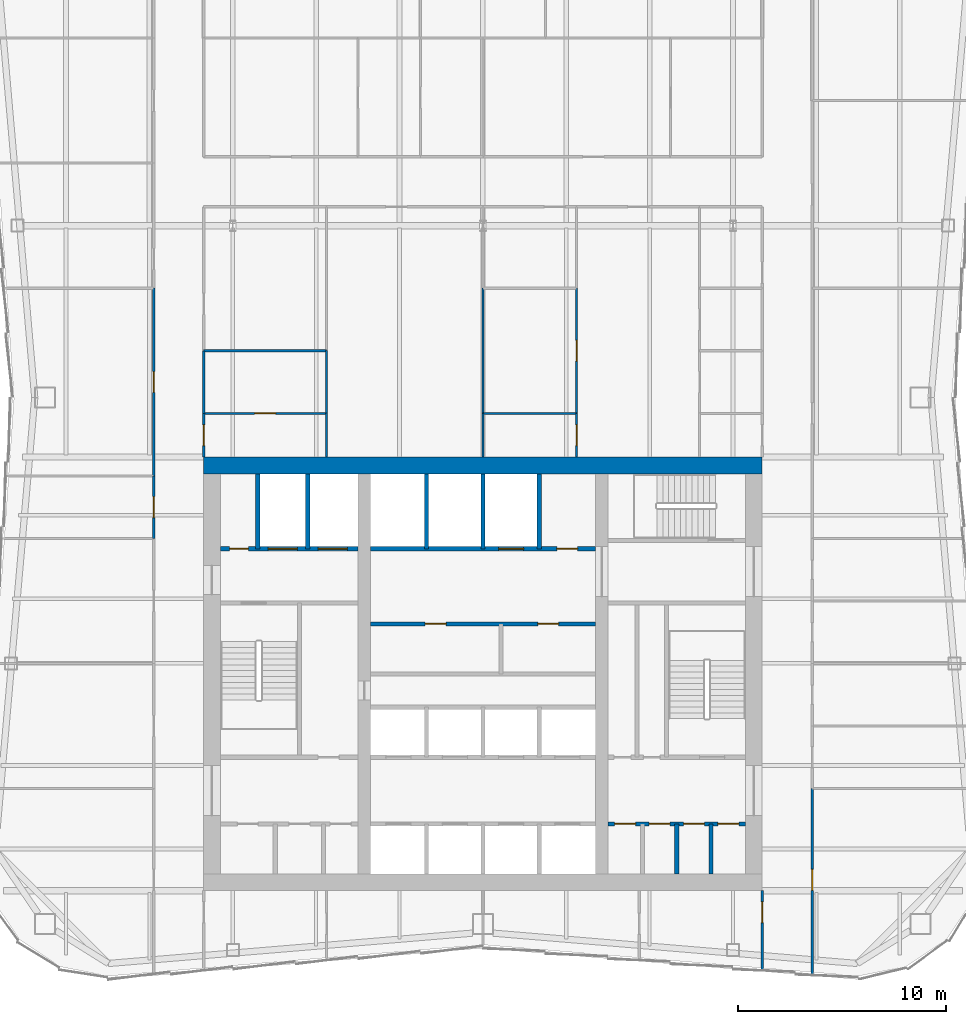
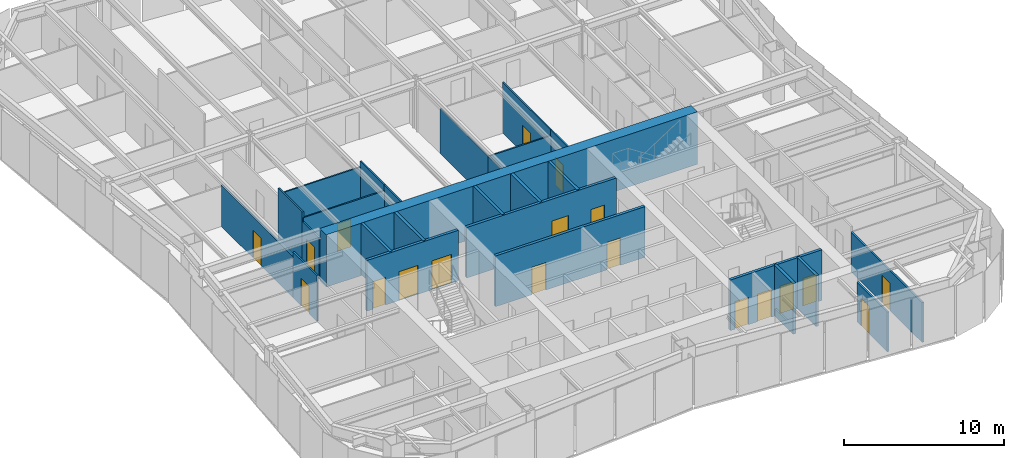
# One storey, part 7 of 12: 27 walls, 19 doors, 19 openings.
"""IFC4 building model written with IfcOpenShell, lengths in metres."""

from ifc_helpers import new_model, si_unit, direction, frame, frame_2d, origin, place, context, subcontext, project, spatial, rectangle, extrude, material, layer, layer_set, type_object, element, fill, save


model = new_model("IFC4")

# Units and contexts
model_context = context("Model", 3, precision=1e-05, world=origin(), true_north=direction((0.0, 1.0)))
body_context = subcontext(model_context, "Body", "Model", "MODEL_VIEW")
ifc_project = project(units=[si_unit("LENGTHUNIT", "METRE"), si_unit("AREAUNIT", "SQUARE_METRE"), si_unit("VOLUMEUNIT", "CUBIC_METRE"), si_unit("PLANEANGLEUNIT", "RADIAN"), si_unit("MASSUNIT", "GRAM", prefix="KILO")], contexts=[model_context])

# Site, building, storey
site_placement = place(None, origin())
site = spatial("IfcSite", under=ifc_project, at=site_placement, CompositionType="ELEMENT")
building_placement = place(site_placement, origin())
building = spatial("IfcBuilding", under=site, at=building_placement, Name="Verdant Reach Tower", CompositionType="ELEMENT")
storey_placement = place(building_placement, frame((0.0, 0.0, 266.0)))
storey = spatial("IfcBuildingStorey", under=building, at=storey_placement, Name="L61", CompositionType="ELEMENT", Elevation=266.0)

# Wall, openings, doors
ifc_material_1 = material(Name="Gypsum board on steel studs", Category="steel")
ifc_layer_1 = layer(ifc_material_1, 0.199951171875)
ifc_layer_set_1 = layer_set([ifc_layer_1], Name="CO-WALL-ROOM")
wall_type_1 = type_object("IfcWallType", Name="CO-WALL-ROOM", PredefinedType="PARTITIONING", material=ifc_layer_set_1)
wall_1_placement = place(storey_placement, frame((6.0, 20.800048828125, 0.0), z_axis=(0.0, 0.0, 1.0), x_axis=(1.0, 0.0, 0.0)))
wall_1 = element("IfcWall", 1, at=wall_1_placement, inside=storey, type_object=wall_type_1, Name="Core partition, L61", PredefinedType="PARTITIONING", context=body_context, shape_type="SweptSolid", body=[
    extrude(rectangle(XDim=6.60009765625, YDim=0.199951171875, at=frame_2d((3.300048828125, 0.0))), origin(), (0.0, 0.0, 1.0), 3.8701171875),
])
opening_1_placement = place(wall_1_placement, frame((0.324951171875, 0.0, 0.0)))
opening_1 = element("IfcOpeningElement", 2, at=opening_1_placement, cuts=wall_1, Name="Opening CD", PredefinedType="OPENING", context=body_context, shape_type="SweptSolid", body=[
    extrude(rectangle(XDim=1.0, YDim=2.10009765625, at=frame_2d((0.5, 1.050048828125))), frame((0.0, 0.10986328125, 0.0), z_axis=(0.0, -1.0, 0.0), x_axis=(1.0, 0.0, 0.0)), (0.0, 0.0, 1.0), 0.219970703125),
])
opening_2_placement = place(wall_1_placement, frame((1.97509765625, 0.0, 0.0)))
opening_2 = element("IfcOpeningElement", 3, at=opening_2_placement, cuts=wall_1, Name="Opening CD", PredefinedType="OPENING", context=body_context, shape_type="SweptSolid", body=[
    extrude(rectangle(XDim=1.0, YDim=2.10009765625, at=frame_2d((0.5, 1.050048828125))), frame((0.0, 0.10986328125, 0.0), z_axis=(0.0, -1.0, 0.0), x_axis=(1.0, 0.0, 0.0)), (0.0, 0.0, 1.0), 0.219970703125),
])
opening_3_placement = place(wall_1_placement, frame((3.625, 0.0, 0.0)))
opening_3 = element("IfcOpeningElement", 4, at=opening_3_placement, cuts=wall_1, Name="Opening CD", PredefinedType="OPENING", context=body_context, shape_type="SweptSolid", body=[
    extrude(rectangle(XDim=1.0, YDim=2.10009765625, at=frame_2d((0.5, 1.050048828125))), frame((0.0, 0.10986328125, 0.0), z_axis=(0.0, -1.0, 0.0), x_axis=(1.0, 0.0, 0.0)), (0.0, 0.0, 1.0), 0.219970703125),
])
opening_4_placement = place(wall_1_placement, frame((5.27490234375, 0.0, 0.0)))
opening_4 = element("IfcOpeningElement", 5, at=opening_4_placement, cuts=wall_1, Name="Opening CD", PredefinedType="OPENING", context=body_context, shape_type="SweptSolid", body=[
    extrude(rectangle(XDim=1.0, YDim=2.10009765625, at=frame_2d((0.5, 1.050048828125))), frame((0.0, 0.10986328125, 0.0), z_axis=(0.0, -1.0, 0.0), x_axis=(1.0, 0.0, 0.0)), (0.0, 0.0, 1.0), 0.219970703125),
])
ifc_material_2 = material(Name="Timber", Category="wood")
door_type_1 = type_object("IfcDoorType", Name="CO-DOOR-ROOM", OperationType="NOTDEFINED", PredefinedType="DOOR", material=ifc_material_2)
door_1_placement = place(opening_1_placement, origin())
door_1 = element("IfcDoor", 6, at=door_1_placement, inside=storey, type_object=door_type_1, Name="Core room door, L61", OperationType="SINGLE_SWING_LEFT", OverallHeight=2.10009765625, OverallWidth=1.0, PredefinedType="DOOR", context=body_context, shape_type="SweptSolid", body=[
    extrude(rectangle(XDim=1.0, YDim=2.10009765625, at=frame_2d((0.5, 1.050048828125))), frame((0.0, 0.02490234375, 0.0), z_axis=(0.0, -1.0, 0.0), x_axis=(1.0, 0.0, 0.0)), (0.0, 0.0, 1.0), 0.050048828125),
])
fill(opening_1, door_1)
door_2_placement = place(opening_2_placement, origin())
door_2 = element("IfcDoor", 7, at=door_2_placement, inside=storey, type_object=door_type_1, Name="Core room door, L61", OperationType="SINGLE_SWING_LEFT", OverallHeight=2.10009765625, OverallWidth=1.0, PredefinedType="DOOR", context=body_context, shape_type="SweptSolid", body=[
    extrude(rectangle(XDim=1.0, YDim=2.10009765625, at=frame_2d((0.5, 1.050048828125))), frame((0.0, 0.02490234375, 0.0), z_axis=(0.0, -1.0, 0.0), x_axis=(1.0, 0.0, 0.0)), (0.0, 0.0, 1.0), 0.050048828125),
])
fill(opening_2, door_2)
door_3_placement = place(opening_3_placement, origin())
door_3 = element("IfcDoor", 8, at=door_3_placement, inside=storey, type_object=door_type_1, Name="Core room door, L61", OperationType="SINGLE_SWING_RIGHT", OverallHeight=2.10009765625, OverallWidth=1.0, PredefinedType="DOOR", context=body_context, shape_type="SweptSolid", body=[
    extrude(rectangle(XDim=1.0, YDim=2.10009765625, at=frame_2d((0.5, 1.050048828125))), frame((0.0, 0.02490234375, 0.0), z_axis=(0.0, -1.0, 0.0), x_axis=(1.0, 0.0, 0.0)), (0.0, 0.0, 1.0), 0.050048828125),
])
fill(opening_3, door_3)
door_4_placement = place(opening_4_placement, origin())
door_4 = element("IfcDoor", 9, at=door_4_placement, inside=storey, type_object=door_type_1, Name="Core room door, L61", OperationType="SINGLE_SWING_RIGHT", OverallHeight=2.10009765625, OverallWidth=1.0, PredefinedType="DOOR", context=body_context, shape_type="SweptSolid", body=[
    extrude(rectangle(XDim=1.0, YDim=2.10009765625, at=frame_2d((0.5, 1.050048828125))), frame((0.0, 0.02490234375, 0.0), z_axis=(0.0, -1.0, 0.0), x_axis=(1.0, 0.0, 0.0)), (0.0, 0.0, 1.0), 0.050048828125),
])
fill(opening_4, door_4)

wall_2_placement = place(storey_placement, frame((-5.39990234375, 30.39990234375, 0.0), z_axis=(0.0, 0.0, 1.0), x_axis=(1.0, 0.0, 0.0)))
wall_2 = element("IfcWall", 10, at=wall_2_placement, inside=storey, type_object=wall_type_1, Name="Core partition, L61", PredefinedType="PARTITIONING", context=body_context, shape_type="SweptSolid", body=[
    extrude(rectangle(XDim=10.7998046875, YDim=0.199951171875, at=frame_2d((5.39990234375, 0.0))), origin(), (0.0, 0.0, 1.0), 3.8701171875),
])
opening_5_placement = place(wall_2_placement, frame((2.632080078125, 0.0, 0.0)))
opening_5 = element("IfcOpeningElement", 11, at=opening_5_placement, cuts=wall_2, Name="Opening CD", PredefinedType="OPENING", context=body_context, shape_type="SweptSolid", body=[
    extrude(rectangle(XDim=1.0, YDim=2.10009765625, at=frame_2d((0.5, 1.050048828125))), frame((0.0, 0.10986328125, 0.0), z_axis=(0.0, -1.0, 0.0), x_axis=(1.0, 0.0, 0.0)), (0.0, 0.0, 1.0), 0.219970703125),
])
opening_6_placement = place(wall_2_placement, frame((8.031982421875, 0.0, 0.0)))
opening_6 = element("IfcOpeningElement", 12, at=opening_6_placement, cuts=wall_2, Name="Opening CD", PredefinedType="OPENING", context=body_context, shape_type="SweptSolid", body=[
    extrude(rectangle(XDim=1.0, YDim=2.10009765625, at=frame_2d((0.5, 1.050048828125))), frame((0.0, 0.10986328125, 0.0), z_axis=(0.0, -1.0, 0.0), x_axis=(1.0, 0.0, 0.0)), (0.0, 0.0, 1.0), 0.219970703125),
])
door_5_placement = place(opening_5_placement, origin())
door_5 = element("IfcDoor", 13, at=door_5_placement, inside=storey, type_object=door_type_1, Name="Core room door, L61", OperationType="SINGLE_SWING_LEFT", OverallHeight=2.10009765625, OverallWidth=1.0, PredefinedType="DOOR", context=body_context, shape_type="SweptSolid", body=[
    extrude(rectangle(XDim=1.0, YDim=2.10009765625, at=frame_2d((0.5, 1.050048828125))), frame((0.0, 0.02490234375, 0.0), z_axis=(0.0, -1.0, 0.0), x_axis=(1.0, 0.0, 0.0)), (0.0, 0.0, 1.0), 0.050048828125),
])
fill(opening_5, door_5)
door_6_placement = place(opening_6_placement, origin())
door_6 = element("IfcDoor", 14, at=door_6_placement, inside=storey, type_object=door_type_1, Name="Core room door, L61", OperationType="SINGLE_SWING_RIGHT", OverallHeight=2.10009765625, OverallWidth=1.0, PredefinedType="DOOR", context=body_context, shape_type="SweptSolid", body=[
    extrude(rectangle(XDim=1.0, YDim=2.10009765625, at=frame_2d((0.5, 1.050048828125))), frame((0.0, 0.02490234375, 0.0), z_axis=(0.0, -1.0, 0.0), x_axis=(1.0, 0.0, 0.0)), (0.0, 0.0, 1.0), 0.050048828125),
])
fill(opening_6, door_6)

# Walls
for number, where, z_axis, x_axis, name in (
    (15, (9.300048828125, 18.39990234375, 0.0), (0.0, 0.0, 1.0), (0.0, 1.0, 0.0), "Core partition, L61"),
    (16, (10.949951171875, 18.39990234375, 0.0), (0.0, 0.0, 1.0), (0.0, 1.0, 0.0), "Core partition, L61"),
):
    element("IfcWall", number, at=place(storey_placement, frame(where, z_axis=z_axis, x_axis=x_axis)), inside=storey, type_object=wall_type_1, Name=name, PredefinedType="PARTITIONING", context=body_context, shape_type="SweptSolid", body=[
        extrude(rectangle(XDim=2.400146484375, YDim=0.199951171875, at=frame_2d((1.2001953125, 0.0))), origin(), (0.0, 0.0, 1.0), 3.8701171875),
    ])

# Wall, openings, doors
ifc_material_3 = material(Name="Concrete C40/50", Category="concrete")
ifc_layer_2 = layer(ifc_material_3, 0.199951171875)
ifc_layer_set_2 = layer_set([ifc_layer_2], Name="CO-WALL-SHAFT")
wall_type_2 = type_object("IfcWallType", Name="CO-WALL-SHAFT", PredefinedType="PARTITIONING", material=ifc_layer_set_2)
wall_3_placement = place(storey_placement, frame((-12.60009765625, 34.0, 0.0), z_axis=(0.0, 0.0, 1.0), x_axis=(1.0, 0.0, 0.0)))
wall_3 = element("IfcWall", 17, at=wall_3_placement, inside=storey, type_object=wall_type_2, Name="Lift shaft wall, L61", PredefinedType="PARTITIONING", context=body_context, shape_type="SweptSolid", body=[
    extrude(rectangle(XDim=6.60009765625, YDim=0.199951171875, at=frame_2d((3.300048828125, 0.0))), origin(), (0.0, 0.0, 1.0), 3.8701171875),
])
opening_7_placement = place(wall_3_placement, frame((4.699951171875, 0.0, 0.0)))
opening_7 = element("IfcOpeningElement", 18, at=opening_7_placement, cuts=wall_3, Name="Opening LD-F1", PredefinedType="OPENING", context=body_context, shape_type="SweptSolid", body=[
    extrude(rectangle(XDim=1.39990234375, YDim=2.199951171875, at=frame_2d((0.699951171875, 1.10009765625))), frame((0.0, 0.10986328125, 0.0), z_axis=(0.0, -1.0, 0.0), x_axis=(1.0, 0.0, 0.0)), (0.0, 0.0, 1.0), 0.219970703125),
])
opening_8_placement = place(wall_3_placement, frame((2.300048828125, 0.0, 0.0)))
opening_8 = element("IfcOpeningElement", 19, at=opening_8_placement, cuts=wall_3, Name="Opening LD-F2", PredefinedType="OPENING", context=body_context, shape_type="SweptSolid", body=[
    extrude(rectangle(XDim=1.39990234375, YDim=2.199951171875, at=frame_2d((0.699951171875, 1.10009765625))), frame((0.0, 0.10986328125, 0.0), z_axis=(0.0, -1.0, 0.0), x_axis=(1.0, 0.0, 0.0)), (0.0, 0.0, 1.0), 0.219970703125),
])
opening_9_placement = place(wall_3_placement, frame((0.449951171875, 0.0, 0.0)))
opening_9 = element("IfcOpeningElement", 20, at=opening_9_placement, cuts=wall_3, Name="Opening RD", PredefinedType="OPENING", context=body_context, shape_type="SweptSolid", body=[
    extrude(rectangle(XDim=0.89990234375, YDim=2.10009765625, at=frame_2d((0.449951171875, 1.050048828125))), frame((0.0, 0.10986328125, 0.0), z_axis=(0.0, -1.0, 0.0), x_axis=(1.0, 0.0, 0.0)), (0.0, 0.0, 1.0), 0.219970703125),
])
ifc_material_4 = material(Name="Stainless steel", Category="steel")
door_type_2 = type_object("IfcDoorType", Name="CO-DOOR-LANDING-FF", OperationType="SLIDING_TO_LEFT", PredefinedType="DOOR", material=ifc_material_4)
door_7_placement = place(opening_7_placement, origin())
door_7 = element("IfcDoor", 21, at=door_7_placement, inside=storey, type_object=door_type_2, Name="Landing door F1, L61", OperationType="SLIDING_TO_LEFT", OverallHeight=2.199951171875, OverallWidth=1.39990234375, PredefinedType="DOOR", context=body_context, shape_type="SweptSolid", body=[
    extrude(rectangle(XDim=1.39990234375, YDim=2.199951171875, at=frame_2d((0.699951171875, 1.10009765625))), frame((0.0, 0.02490234375, 0.0), z_axis=(0.0, -1.0, 0.0), x_axis=(1.0, 0.0, 0.0)), (0.0, 0.0, 1.0), 0.050048828125),
])
fill(opening_7, door_7)
door_8_placement = place(opening_8_placement, origin())
door_8 = element("IfcDoor", 22, at=door_8_placement, inside=storey, type_object=door_type_2, Name="Landing door F2, L61", OperationType="SLIDING_TO_LEFT", OverallHeight=2.199951171875, OverallWidth=1.39990234375, PredefinedType="DOOR", context=body_context, shape_type="SweptSolid", body=[
    extrude(rectangle(XDim=1.39990234375, YDim=2.199951171875, at=frame_2d((0.699951171875, 1.10009765625))), frame((0.0, 0.02490234375, 0.0), z_axis=(0.0, -1.0, 0.0), x_axis=(1.0, 0.0, 0.0)), (0.0, 0.0, 1.0), 0.050048828125),
])
fill(opening_8, door_8)
ifc_material_5 = material(Name="Steel", Category="steel")
door_type_3 = type_object("IfcDoorType", Name="CO-DOOR-RISER", OperationType="NOTDEFINED", PredefinedType="DOOR", material=ifc_material_5)
door_9_placement = place(opening_9_placement, origin())
door_9 = element("IfcDoor", 23, at=door_9_placement, inside=storey, type_object=door_type_3, Name="Core room door, L61", OperationType="SINGLE_SWING_RIGHT", OverallHeight=2.10009765625, OverallWidth=0.89990234375, PredefinedType="DOOR", context=body_context, shape_type="SweptSolid", body=[
    extrude(rectangle(XDim=0.89990234375, YDim=2.10009765625, at=frame_2d((0.449951171875, 1.050048828125))), frame((0.0, 0.02490234375, 0.0), z_axis=(0.0, -1.0, 0.0), x_axis=(1.0, 0.0, 0.0)), (0.0, 0.0, 1.0), 0.050048828125),
])
fill(opening_9, door_9)

wall_4_placement = place(storey_placement, frame((-5.39990234375, 34.0, 0.0), z_axis=(0.0, 0.0, 1.0), x_axis=(1.0, 0.0, 0.0)))
wall_4 = element("IfcWall", 24, at=wall_4_placement, inside=storey, type_object=wall_type_2, Name="Lift shaft wall, L61", PredefinedType="PARTITIONING", context=body_context, shape_type="SweptSolid", body=[
    extrude(rectangle(XDim=10.7998046875, YDim=0.199951171875, at=frame_2d((5.39990234375, 0.0))), origin(), (0.0, 0.0, 1.0), 3.8701171875),
])
opening_10_placement = place(wall_4_placement, frame((6.14990234375, 0.0, 0.0)))
opening_10 = element("IfcOpeningElement", 25, at=opening_10_placement, cuts=wall_4, Name="Opening LD-SL1", PredefinedType="OPENING", context=body_context, shape_type="SweptSolid", body=[
    extrude(rectangle(XDim=1.199951171875, YDim=2.199951171875, at=frame_2d((0.60009765625, 1.10009765625))), frame((0.0, 0.10986328125, 0.0), z_axis=(0.0, -1.0, 0.0), x_axis=(1.0, 0.0, 0.0)), (0.0, 0.0, 1.0), 0.219970703125),
])
opening_11_placement = place(wall_4_placement, frame((8.949951171875, 0.0, 0.0)))
opening_11 = element("IfcOpeningElement", 26, at=opening_11_placement, cuts=wall_4, Name="Opening CD", PredefinedType="OPENING", context=body_context, shape_type="SweptSolid", body=[
    extrude(rectangle(XDim=1.0, YDim=2.10009765625, at=frame_2d((0.5, 1.050048828125))), frame((0.0, 0.10986328125, 0.0), z_axis=(0.0, -1.0, 0.0), x_axis=(1.0, 0.0, 0.0)), (0.0, 0.0, 1.0), 0.219970703125),
])
door_type_4 = type_object("IfcDoorType", Name="CO-DOOR-LANDING", OperationType="SLIDING_TO_LEFT", PredefinedType="DOOR", material=ifc_material_4)
door_10_placement = place(opening_10_placement, origin())
door_10 = element("IfcDoor", 27, at=door_10_placement, inside=storey, type_object=door_type_4, Name="Landing door SL1, L61", OperationType="SLIDING_TO_LEFT", OverallHeight=2.199951171875, OverallWidth=1.199951171875, PredefinedType="DOOR", context=body_context, shape_type="SweptSolid", body=[
    extrude(rectangle(XDim=1.199951171875, YDim=2.199951171875, at=frame_2d((0.60009765625, 1.10009765625))), frame((0.0, 0.02490234375, 0.0), z_axis=(0.0, -1.0, 0.0), x_axis=(1.0, 0.0, 0.0)), (0.0, 0.0, 1.0), 0.050048828125),
])
fill(opening_10, door_10)
door_11_placement = place(opening_11_placement, origin())
door_11 = element("IfcDoor", 28, at=door_11_placement, inside=storey, type_object=door_type_1, Name="Core room door, L61", OperationType="SINGLE_SWING_LEFT", OverallHeight=2.10009765625, OverallWidth=1.0, PredefinedType="DOOR", context=body_context, shape_type="SweptSolid", body=[
    extrude(rectangle(XDim=1.0, YDim=2.10009765625, at=frame_2d((0.5, 1.050048828125))), frame((0.0, 0.02490234375, 0.0), z_axis=(0.0, -1.0, 0.0), x_axis=(1.0, 0.0, 0.0)), (0.0, 0.0, 1.0), 0.050048828125),
])
fill(opening_11, door_11)

# Walls
for number, where, z_axis, x_axis, name in (
    (29, (-10.800048828125, 34.0, 0.0), (0.0, 0.0, 1.0), (0.0, 1.0, 0.0), "Lift shaft wall, L61"),
    (30, (-8.39990234375, 34.0, 0.0), (0.0, 0.0, 1.0), (0.0, 1.0, 0.0), "Lift shaft wall, L61"),
    (31, (-2.699951171875, 34.0, 0.0), (0.0, 0.0, 1.0), (0.0, 1.0, 0.0), "Lift shaft wall, L61"),
    (32, (0.0, 34.0, 0.0), (0.0, 0.0, 1.0), (0.0, 1.0, 0.0), "Lift shaft wall, L61"),
    (33, (2.699951171875, 34.0, 0.0), (0.0, 0.0, 1.0), (0.0, 1.0, 0.0), "Lift shaft wall, L61"),
):
    element("IfcWall", number, at=place(storey_placement, frame(where, z_axis=z_axis, x_axis=x_axis)), inside=storey, type_object=wall_type_2, Name=name, PredefinedType="PARTITIONING", context=body_context, shape_type="SweptSolid", body=[
        extrude(rectangle(XDim=3.60009765625, YDim=0.199951171875, at=frame_2d((1.800048828125, 0.0))), origin(), (0.0, 0.0, 1.0), 3.8701171875),
    ])

# Wall, opening, door
ifc_layer_3 = layer(ifc_material_1, 0.10009765625)
ifc_layer_set_3 = layer_set([ifc_layer_3], Name="FL-W1 Partition 100")
wall_type_3 = type_object("IfcWallType", Name="FL-W1 Partition 100", PredefinedType="PARTITIONING", material=ifc_layer_set_3)
wall_5_placement = place(storey_placement, frame((-13.39990234375, 40.5, 0.0), z_axis=(0.0, 0.0, 1.0), x_axis=(1.0, 0.0, 0.0)))
wall_5 = element("IfcWall", 34, at=wall_5_placement, inside=storey, type_object=wall_type_3, Name="Partition 61.59", PredefinedType="PARTITIONING", context=body_context, shape_type="SweptSolid", body=[
    extrude(rectangle(XDim=5.89990234375, YDim=0.10009765625, at=frame_2d((2.949951171875, 0.0))), origin(), (0.0, 0.0, 1.0), 3.43994140625),
])
opening_12_placement = place(wall_5_placement, frame((2.449951171875, 0.0, 0.0)))
opening_12 = element("IfcOpeningElement", 35, at=opening_12_placement, cuts=wall_5, Name="Opening D3", PredefinedType="OPENING", context=body_context, shape_type="SweptSolid", body=[
    extrude(rectangle(XDim=1.0, YDim=2.10009765625, at=frame_2d((0.5, 1.050048828125))), frame((0.0, 0.06005859375, 0.0), z_axis=(0.0, -1.0, 0.0), x_axis=(1.0, 0.0, 0.0)), (0.0, 0.0, 1.0), 0.1201171875),
])
ifc_material_6 = material(Name="Painted timber door leaf", Category="wood")
door_type_5 = type_object("IfcDoorType", Name="FL-D3 Door 1000x2100", OperationType="NOTDEFINED", PredefinedType="DOOR", material=ifc_material_6)
door_12_placement = place(opening_12_placement, origin())
door_12 = element("IfcDoor", 36, at=door_12_placement, inside=storey, type_object=door_type_5, Name="Door 61-033", OperationType="SINGLE_SWING_LEFT", OverallHeight=2.10009765625, OverallWidth=1.0, PredefinedType="DOOR", context=body_context, shape_type="SweptSolid", body=[
    extrude(rectangle(XDim=1.0, YDim=2.10009765625, at=frame_2d((0.5, 1.050048828125))), frame((0.0, 0.02490234375, 0.0), z_axis=(0.0, -1.0, 0.0), x_axis=(1.0, 0.0, 0.0)), (0.0, 0.0, 1.0), 0.050048828125),
])
fill(opening_12, door_12)

# Walls
wall_6_placement = place(storey_placement, frame((-7.5, 38.39990234375, 0.0), z_axis=(0.0, 0.0, 1.0), x_axis=(0.0, 1.0, 0.0)))
element("IfcWall", 37, at=wall_6_placement, inside=storey, type_object=wall_type_3, Name="Partition 61.60", PredefinedType="PARTITIONING", context=body_context, shape_type="SweptSolid", body=[
    extrude(rectangle(XDim=2.10400390625, YDim=0.10009765625, at=frame_2d((1.052001953125, 0.0))), origin(), (0.0, 0.0, 1.0), 3.8701171875),
])
wall_7_placement = place(storey_placement, frame((-7.5, 43.5, 0.0), z_axis=(0.0, 0.0, 1.0), x_axis=(-1.0, 0.0, 0.0)))
element("IfcWall", 38, at=wall_7_placement, inside=storey, type_object=wall_type_3, Name="Partition 61.61", PredefinedType="PARTITIONING", context=body_context, shape_type="SweptSolid", body=[
    extrude(rectangle(XDim=5.89990234375, YDim=0.10009765625, at=frame_2d((2.949951171875, 0.0))), origin(), (0.0, 0.0, 1.0), 3.43994140625),
])
wall_8_placement = place(storey_placement, frame((-7.5, 40.49609375, 0.0), z_axis=(0.0, 0.0, 1.0), x_axis=(0.0, 1.0, 0.0)))
element("IfcWall", 39, at=wall_8_placement, inside=storey, type_object=wall_type_3, Name="Partition 61.62", PredefinedType="PARTITIONING", context=body_context, shape_type="SweptSolid", body=[
    extrude(rectangle(XDim=3.0078125, YDim=0.10009765625, at=frame_2d((1.50390625, 0.0))), origin(), (0.0, 0.0, 1.0), 3.8701171875),
])
wall_9_placement = place(storey_placement, frame((0.0, 38.39990234375, 0.0), z_axis=(0.0, 0.0, 1.0), x_axis=(0.0, 1.0, 0.0)))
element("IfcWall", 40, at=wall_9_placement, inside=storey, type_object=wall_type_3, Name="Partition 61.64", PredefinedType="PARTITIONING", context=body_context, shape_type="SweptSolid", body=[
    extrude(rectangle(XDim=2.10009765625, YDim=0.10009765625, at=frame_2d((1.050048828125, 0.0))), origin(), (0.0, 0.0, 1.0), 3.43994140625),
])
wall_10_placement = place(storey_placement, frame((0.0, 40.5, 0.0), z_axis=(0.0, 0.0, 1.0), x_axis=(0.0, 1.0, 0.0)))
element("IfcWall", 41, at=wall_10_placement, inside=storey, type_object=wall_type_3, Name="Partition 61.65", PredefinedType="PARTITIONING", context=body_context, shape_type="SweptSolid", body=[
    extrude(rectangle(XDim=6.0, YDim=0.10009765625, at=frame_2d((3.0, 0.0))), origin(), (0.0, 0.0, 1.0), 3.43994140625),
])

# Wall, opening, door
wall_11_placement = place(storey_placement, frame((4.5, 38.39990234375, 0.0), z_axis=(0.0, 0.0, 1.0), x_axis=(0.0, 1.0, 0.0)))
wall_11 = element("IfcWall", 42, at=wall_11_placement, inside=storey, type_object=wall_type_3, Name="Partition 61.74", PredefinedType="PARTITIONING", context=body_context, shape_type="SweptSolid", body=[
    extrude(rectangle(XDim=2.10009765625, YDim=0.10009765625, at=frame_2d((1.050048828125, 0.0))), origin(), (0.0, 0.0, 1.0), 3.8701171875),
])
opening_13_placement = place(wall_11_placement, frame((0.550048828125, 0.0, 0.0)))
opening_13 = element("IfcOpeningElement", 43, at=opening_13_placement, cuts=wall_11, Name="Opening D3", PredefinedType="OPENING", context=body_context, shape_type="SweptSolid", body=[
    extrude(rectangle(XDim=1.0, YDim=2.10009765625, at=frame_2d((0.5, 1.050048828125))), frame((0.0, 0.06005859375, 0.0), z_axis=(0.0, -1.0, 0.0), x_axis=(1.0, 0.0, 0.0)), (0.0, 0.0, 1.0), 0.1201171875),
])
door_13_placement = place(opening_13_placement, origin())
door_13 = element("IfcDoor", 44, at=door_13_placement, inside=storey, type_object=door_type_5, Name="Door 61-036", OperationType="SINGLE_SWING_RIGHT", OverallHeight=2.10009765625, OverallWidth=1.0, PredefinedType="DOOR", context=body_context, shape_type="SweptSolid", body=[
    extrude(rectangle(XDim=1.0, YDim=2.10009765625, at=frame_2d((0.5, 1.050048828125))), frame((0.0, 0.02490234375, 0.0), z_axis=(0.0, -1.0, 0.0), x_axis=(1.0, 0.0, 0.0)), (0.0, 0.0, 1.0), 0.050048828125),
])
fill(opening_13, door_13)

wall_12_placement = place(storey_placement, frame((4.5, 40.5, 0.0), z_axis=(0.0, 0.0, 1.0), x_axis=(0.0, 1.0, 0.0)))
wall_12 = element("IfcWall", 45, at=wall_12_placement, inside=storey, type_object=wall_type_3, Name="Partition 61.75", PredefinedType="PARTITIONING", context=body_context, shape_type="SweptSolid", body=[
    extrude(rectangle(XDim=6.0, YDim=0.10009765625, at=frame_2d((3.0, 0.0))), origin(), (0.0, 0.0, 1.0), 3.8701171875),
])
opening_14_placement = place(wall_12_placement, frame((2.5, 0.0, 0.0)))
opening_14 = element("IfcOpeningElement", 46, at=opening_14_placement, cuts=wall_12, Name="Opening D3", PredefinedType="OPENING", context=body_context, shape_type="SweptSolid", body=[
    extrude(rectangle(XDim=1.0, YDim=2.10009765625, at=frame_2d((0.5, 1.050048828125))), frame((0.0, 0.06005859375, 0.0), z_axis=(0.0, -1.0, 0.0), x_axis=(1.0, 0.0, 0.0)), (0.0, 0.0, 1.0), 0.1201171875),
])
door_14_placement = place(opening_14_placement, origin())
door_14 = element("IfcDoor", 47, at=door_14_placement, inside=storey, type_object=door_type_5, Name="Door 61-037", OperationType="SINGLE_SWING_LEFT", OverallHeight=2.10009765625, OverallWidth=1.0, PredefinedType="DOOR", context=body_context, shape_type="SweptSolid", body=[
    extrude(rectangle(XDim=1.0, YDim=2.10009765625, at=frame_2d((0.5, 1.050048828125))), frame((0.0, 0.02490234375, 0.0), z_axis=(0.0, -1.0, 0.0), x_axis=(1.0, 0.0, 0.0)), (0.0, 0.0, 1.0), 0.050048828125),
])
fill(opening_14, door_14)

# Wall
wall_13_placement = place(storey_placement, frame((4.5, 40.5, 0.0), z_axis=(0.0, 0.0, 1.0), x_axis=(-1.0, 0.0, 0.0)))
element("IfcWall", 48, at=wall_13_placement, inside=storey, type_object=wall_type_3, Name="Partition 61.77", PredefinedType="PARTITIONING", context=body_context, shape_type="SweptSolid", body=[
    extrude(rectangle(XDim=4.5, YDim=0.10009765625, at=frame_2d((2.25, 0.0))), origin(), (0.0, 0.0, 1.0), 3.43994140625),
])

# Wall, opening, door
ifc_material_7 = material(Name="Gypsum board on steel studs, fire rated", Category="steel")
ifc_layer_4 = layer(ifc_material_7, 0.125)
ifc_layer_set_4 = layer_set([ifc_layer_4], Name="FL-W2 Corridor wall 125")
wall_type_4 = type_object("IfcWallType", Name="FL-W2 Corridor wall 125", PredefinedType="PARTITIONING", material=ifc_layer_set_4)
wall_14_placement = place(storey_placement, frame((-15.800048828125, 34.5, 0.0), z_axis=(0.0, 0.0, 1.0), x_axis=(0.0, 1.0, 0.0)))
wall_14 = element("IfcWall", 49, at=wall_14_placement, inside=storey, type_object=wall_type_4, Name="Partition 61.04", PredefinedType="PARTITIONING", context=body_context, shape_type="SweptSolid", body=[
    extrude(rectangle(XDim=3.0, YDim=0.125, at=frame_2d((1.5, 0.0))), origin(), (0.0, 0.0, 1.0), 3.47998046875),
])
opening_15_placement = place(wall_14_placement, frame((1.0, 0.0, 0.0)))
opening_15 = element("IfcOpeningElement", 50, at=opening_15_placement, cuts=wall_14, Name="Opening D2", PredefinedType="OPENING", context=body_context, shape_type="SweptSolid", body=[
    extrude(rectangle(XDim=1.0, YDim=2.10009765625, at=frame_2d((0.5, 1.050048828125))), frame((0.0, 0.072509765625, 0.0), z_axis=(0.0, -1.0, 0.0), x_axis=(1.0, 0.0, 0.0)), (0.0, 0.0, 1.0), 0.14501953125),
])
ifc_material_8 = material(Name="Timber door leaf, fire rated", Category="wood")
door_type_6 = type_object("IfcDoorType", Name="FL-D2 Entrance door 1000x2100 FD30", OperationType="NOTDEFINED", PredefinedType="DOOR", material=ifc_material_8)
door_15_placement = place(opening_15_placement, origin())
door_15 = element("IfcDoor", 51, at=door_15_placement, inside=storey, type_object=door_type_6, Name="Door 61-004", OperationType="SINGLE_SWING_RIGHT", OverallHeight=2.10009765625, OverallWidth=1.0, PredefinedType="DOOR", context=body_context, shape_type="SweptSolid", body=[
    extrude(rectangle(XDim=1.0, YDim=2.10009765625, at=frame_2d((0.5, 1.050048828125))), frame((0.0, 0.02490234375, 0.0), z_axis=(0.0, -1.0, 0.0), x_axis=(1.0, 0.0, 0.0)), (0.0, 0.0, 1.0), 0.050048828125),
])
fill(opening_15, door_15)

wall_15_placement = place(storey_placement, frame((-15.800048828125, 37.5, 0.0), z_axis=(0.0, 0.0, 1.0), x_axis=(0.0, 1.0, 0.0)))
wall_15 = element("IfcWall", 52, at=wall_15_placement, inside=storey, type_object=wall_type_4, Name="Partition 61.05", PredefinedType="PARTITIONING", context=body_context, shape_type="SweptSolid", body=[
    extrude(rectangle(XDim=9.0, YDim=0.125, at=frame_2d((4.5, 0.0))), origin(), (0.0, 0.0, 1.0), 3.139892578125),
])
opening_16_placement = place(wall_15_placement, frame((4.0, 0.0, 0.0)))
opening_16 = element("IfcOpeningElement", 53, at=opening_16_placement, cuts=wall_15, Name="Opening D2", PredefinedType="OPENING", context=body_context, shape_type="SweptSolid", body=[
    extrude(rectangle(XDim=1.0, YDim=2.10009765625, at=frame_2d((0.5, 1.050048828125))), frame((0.0, 0.072509765625, 0.0), z_axis=(0.0, -1.0, 0.0), x_axis=(1.0, 0.0, 0.0)), (0.0, 0.0, 1.0), 0.14501953125),
])
door_16_placement = place(opening_16_placement, origin())
door_16 = element("IfcDoor", 54, at=door_16_placement, inside=storey, type_object=door_type_6, Name="Door 61-005", OperationType="SINGLE_SWING_LEFT", OverallHeight=2.10009765625, OverallWidth=1.0, PredefinedType="DOOR", context=body_context, shape_type="SweptSolid", body=[
    extrude(rectangle(XDim=1.0, YDim=2.10009765625, at=frame_2d((0.5, 1.050048828125))), frame((0.0, 0.02490234375, 0.0), z_axis=(0.0, -1.0, 0.0), x_axis=(1.0, 0.0, 0.0)), (0.0, 0.0, 1.0), 0.050048828125),
])
fill(opening_16, door_16)

wall_16_placement = place(storey_placement, frame((15.800048828125, 22.5, 0.0), z_axis=(0.0, 0.0, 1.0), x_axis=(0.0, -1.0, 0.0)))
wall_16 = element("IfcWall", 55, at=wall_16_placement, inside=storey, type_object=wall_type_4, Name="Partition 61.10", PredefinedType="PARTITIONING", context=body_context, shape_type="SweptSolid", body=[
    extrude(rectangle(XDim=8.896728515625, YDim=0.125, at=frame_2d((4.4482421875, 0.0))), origin(), (0.0, 0.0, 1.0), 3.0400390625),
])
opening_17_placement = place(wall_16_placement, frame((3.88330078125, 0.0, 0.0)))
opening_17 = element("IfcOpeningElement", 56, at=opening_17_placement, cuts=wall_16, Name="Opening D2", PredefinedType="OPENING", context=body_context, shape_type="SweptSolid", body=[
    extrude(rectangle(XDim=1.0, YDim=2.10009765625, at=frame_2d((0.5, 1.050048828125))), frame((0.0, 0.072509765625, 0.0), z_axis=(0.0, -1.0, 0.0), x_axis=(1.0, 0.0, 0.0)), (0.0, 0.0, 1.0), 0.14501953125),
])
door_17_placement = place(opening_17_placement, origin())
door_17 = element("IfcDoor", 57, at=door_17_placement, inside=storey, type_object=door_type_6, Name="Door 61-010", OperationType="SINGLE_SWING_LEFT", OverallHeight=2.10009765625, OverallWidth=1.0, PredefinedType="DOOR", context=body_context, shape_type="SweptSolid", body=[
    extrude(rectangle(XDim=1.0, YDim=2.10009765625, at=frame_2d((0.5, 1.050048828125))), frame((0.0, 0.02490234375, 0.0), z_axis=(0.0, -1.0, 0.0), x_axis=(1.0, 0.0, 0.0)), (0.0, 0.0, 1.0), 0.050048828125),
])
fill(opening_17, door_17)

wall_17_placement = place(storey_placement, frame((13.39990234375, 13.80322265625, 0.0), z_axis=(0.0, 0.0, 1.0), x_axis=(0.0, 1.0, 0.0)))
wall_17 = element("IfcWall", 58, at=wall_17_placement, inside=storey, type_object=wall_type_4, Name="Partition 61.19", PredefinedType="PARTITIONING", context=body_context, shape_type="SweptSolid", body=[
    extrude(rectangle(XDim=3.796875, YDim=0.125, at=frame_2d((1.8984375, 0.0))), origin(), (0.0, 0.0, 1.0), 3.0400390625),
])
opening_18_placement = place(wall_17_placement, frame((2.263427734375, 0.0, 0.0)))
opening_18 = element("IfcOpeningElement", 59, at=opening_18_placement, cuts=wall_17, Name="Opening D2", PredefinedType="OPENING", context=body_context, shape_type="SweptSolid", body=[
    extrude(rectangle(XDim=1.0, YDim=2.10009765625, at=frame_2d((0.5, 1.050048828125))), frame((0.0, 0.072509765625, 0.0), z_axis=(0.0, -1.0, 0.0), x_axis=(1.0, 0.0, 0.0)), (0.0, 0.0, 1.0), 0.14501953125),
])
door_18_placement = place(opening_18_placement, origin())
door_18 = element("IfcDoor", 60, at=door_18_placement, inside=storey, type_object=door_type_6, Name="Door 61-019", OperationType="SINGLE_SWING_RIGHT", OverallHeight=2.10009765625, OverallWidth=1.0, PredefinedType="DOOR", context=body_context, shape_type="SweptSolid", body=[
    extrude(rectangle(XDim=1.0, YDim=2.10009765625, at=frame_2d((0.5, 1.050048828125))), frame((0.0, 0.02490234375, 0.0), z_axis=(0.0, -1.0, 0.0), x_axis=(1.0, 0.0, 0.0)), (0.0, 0.0, 1.0), 0.050048828125),
])
fill(opening_18, door_18)

wall_18_placement = place(storey_placement, frame((-13.39990234375, 40.5, 0.0), z_axis=(0.0, 0.0, 1.0), x_axis=(0.0, -1.0, 0.0)))
wall_18 = element("IfcWall", 61, at=wall_18_placement, inside=storey, type_object=wall_type_4, Name="Partition 61.20", PredefinedType="PARTITIONING", context=body_context, shape_type="SweptSolid", body=[
    extrude(rectangle(XDim=2.10009765625, YDim=0.125, at=frame_2d((1.050048828125, 0.0))), origin(), (0.0, 0.0, 1.0), 3.139892578125),
])
opening_19_placement = place(wall_18_placement, frame((0.550048828125, 0.0, 0.0)))
opening_19 = element("IfcOpeningElement", 62, at=opening_19_placement, cuts=wall_18, Name="Opening D2", PredefinedType="OPENING", context=body_context, shape_type="SweptSolid", body=[
    extrude(rectangle(XDim=1.0, YDim=2.10009765625, at=frame_2d((0.5, 1.050048828125))), frame((0.0, 0.072509765625, 0.0), z_axis=(0.0, -1.0, 0.0), x_axis=(1.0, 0.0, 0.0)), (0.0, 0.0, 1.0), 0.14501953125),
])
door_19_placement = place(opening_19_placement, origin())
door_19 = element("IfcDoor", 63, at=door_19_placement, inside=storey, type_object=door_type_6, Name="Door 61-020", OperationType="SINGLE_SWING_RIGHT", OverallHeight=2.10009765625, OverallWidth=1.0, PredefinedType="DOOR", context=body_context, shape_type="SweptSolid", body=[
    extrude(rectangle(XDim=1.0, YDim=2.10009765625, at=frame_2d((0.5, 1.050048828125))), frame((0.0, 0.02490234375, 0.0), z_axis=(0.0, -1.0, 0.0), x_axis=(1.0, 0.0, 0.0)), (0.0, 0.0, 1.0), 0.050048828125),
])
fill(opening_19, door_19)

# Walls
wall_19_placement = place(storey_placement, frame((-13.39990234375, 40.5, 0.0), z_axis=(0.0, 0.0, 1.0), x_axis=(0.0, 1.0, 0.0)))
element("IfcWall", 64, at=wall_19_placement, inside=storey, type_object=wall_type_4, Name="Partition 61.21", PredefinedType="PARTITIONING", context=body_context, shape_type="SweptSolid", body=[
    extrude(rectangle(XDim=3.0, YDim=0.125, at=frame_2d((1.5, 0.0))), origin(), (0.0, 0.0, 1.0), 3.8701171875),
])
ifc_material_9 = material(Name="Concrete C70/85", Category="concrete")
ifc_layer_5 = layer(ifc_material_9, 0.800048828125)
ifc_layer_set_5 = layer_set([ifc_layer_5], Name="ST-CORE-WALL-800")
wall_type_5 = type_object("IfcWallType", Name="ST-CORE-WALL-800", PredefinedType="SHEAR", material=ifc_layer_set_5)
wall_20_placement = place(storey_placement, frame((-13.39990234375, 38.0, -0.1298828125), z_axis=(0.0, 0.0, 1.0), x_axis=(1.0, 0.0, 0.0)))
element("IfcWall", 65, at=wall_20_placement, inside=storey, type_object=wall_type_5, Name="Core wall N, L61", PredefinedType="SHEAR", context=body_context, shape_type="SweptSolid", body=[
    extrude(rectangle(XDim=26.7998046875, YDim=0.800048828125, at=frame_2d((13.39990234375, 0.0))), origin(), (0.0, 0.0, 1.0), 4.0),
])

save(model, "model.ifc")
